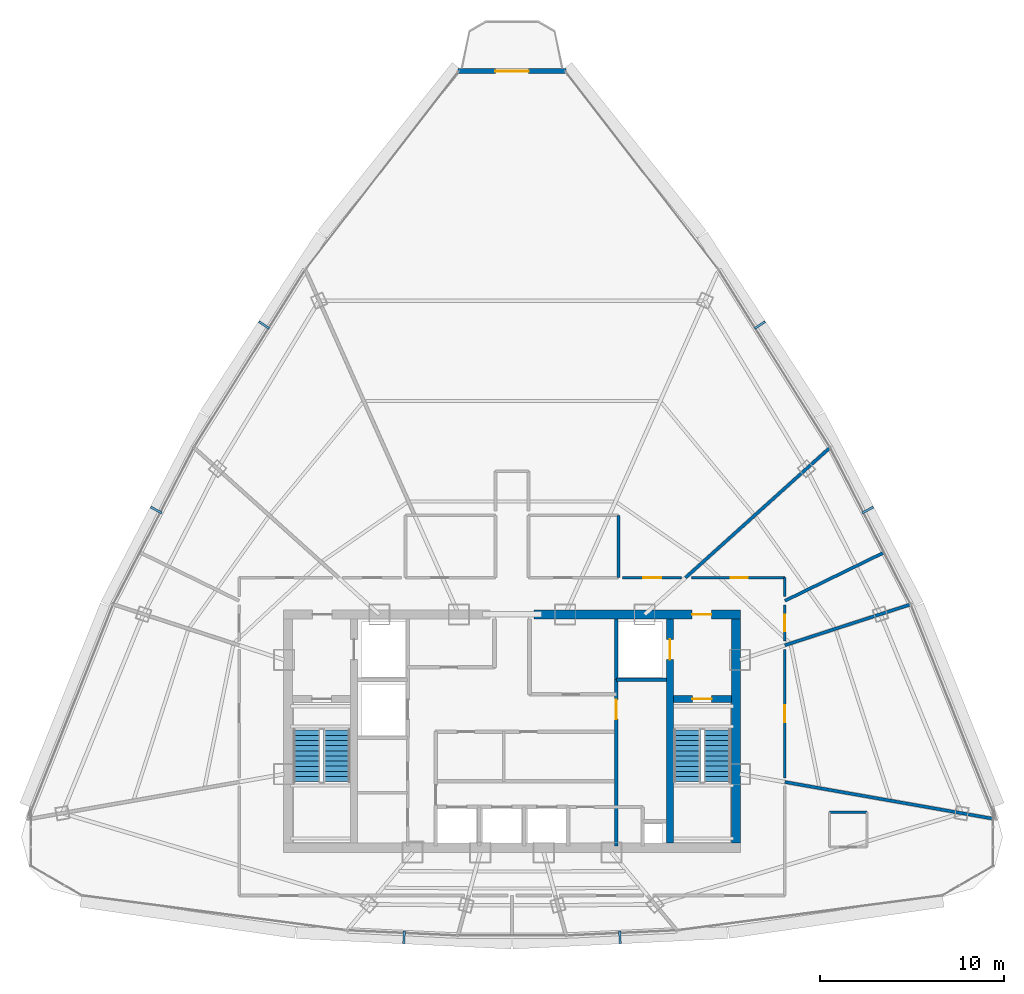
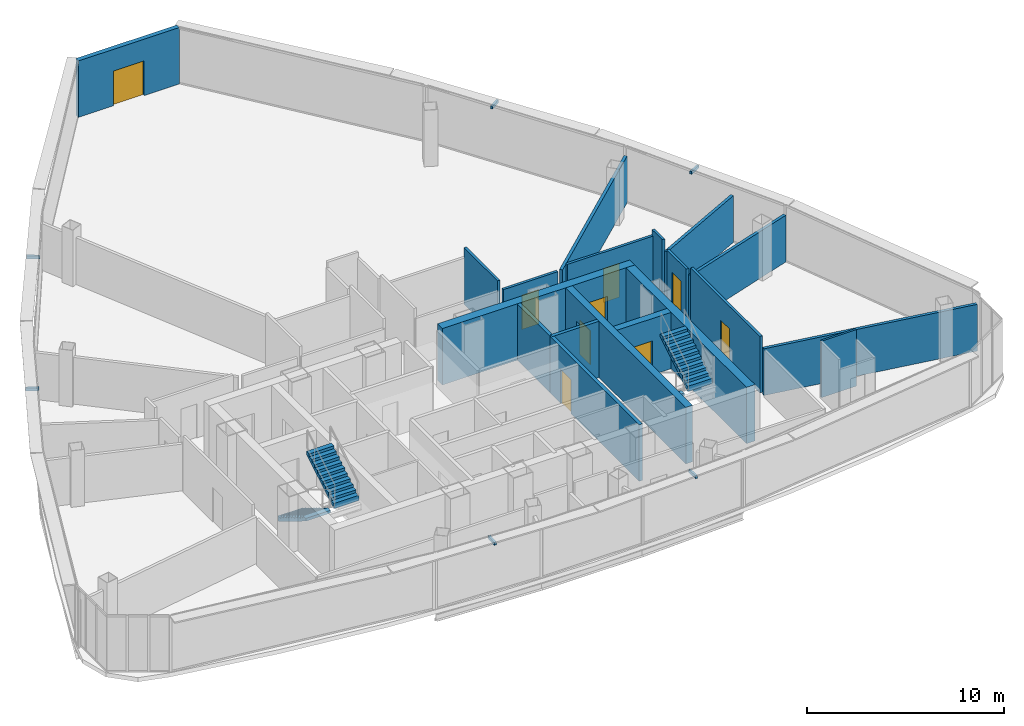
# One storey, part 26 of 29: 19 walls, 9 doors, 6 discrete accessories, 4 stair flights, 9 openings, 2 elements without a shape of their own.
"""IFC4 building model written with IfcOpenShell, lengths in metres."""

from ifc_helpers import new_model, si_unit, direction, frame, frame_2d, origin, origin_with_axes, origin_2d, place, context, subcontext, project, spatial, polyline, rectangle, outline, extrude, source, transform, mapped, material, layer, layer_set, type_object, element, fill, aggregate, save


model = new_model("IFC4")

# Units and contexts
model_context = context("Model", 3, precision=1e-05, world=origin(), true_north=direction((0.0, 1.0)))
body_context = subcontext(model_context, "Body", "Model", "MODEL_VIEW")
ifc_project = project(units=[si_unit("LENGTHUNIT", "METRE"), si_unit("AREAUNIT", "SQUARE_METRE"), si_unit("VOLUMEUNIT", "CUBIC_METRE"), si_unit("PLANEANGLEUNIT", "RADIAN"), si_unit("MASSUNIT", "GRAM", prefix="KILO"), si_unit("THERMODYNAMICTEMPERATUREUNIT", "KELVIN"), si_unit("POWERUNIT", "WATT")], contexts=[model_context])

# Site, building, storey
site_placement = place(None, origin())
site = spatial("IfcSite", under=ifc_project, at=site_placement, CompositionType="ELEMENT")
building_placement = place(site_placement, origin())
building = spatial("IfcBuilding", under=site, at=building_placement, Name="Yunzhuo Pagoda Commons", CompositionType="ELEMENT")
storey_placement = place(building_placement, frame((0.0, 0.0, 359.260009765625)))
storey = spatial("IfcBuildingStorey", under=building, at=storey_placement, Name="L90", CompositionType="ELEMENT", Elevation=359.260009765625)

# Wall, opening, door
ifc_material_1 = material(Name="Precast concrete C40", Category="concrete")
ifc_layer_1 = layer(ifc_material_1, 0.260009765625)
ifc_layer_set_1 = layer_set([ifc_layer_1], Name="Precast concrete C40")
wall_type_1 = type_object("IfcWallType", Name="W-BAL1 Corner Balcony Threshold Wall 260", PredefinedType="STANDARD", material=ifc_layer_set_1)
wall_1_placement = place(storey_placement, frame((50.951904296875, 69.7763671875, 0.0), z_axis=(0.0, 0.0, 1.0), x_axis=(-1.0, 0.0, 0.0)))
wall_1 = element("IfcWall", 1, at=wall_1_placement, inside=storey, type_object=wall_type_1, Name="L90 corner balcony wall V3", PredefinedType="STANDARD", context=body_context, shape_type="SweptSolid", body=[
    extrude(rectangle(XDim=5.90380859375, YDim=0.260009765625, at=frame_2d((2.951904296875, 0.0))), origin(), (0.0, 0.0, 1.0), 3.489990234375),
])
opening_1_placement = place(wall_1_placement, frame((2.052001953125, 0.0, 0.0)))
opening_1 = element("IfcOpeningElement", 2, at=opening_1_placement, cuts=wall_1, Name="Opening D-BAL1", PredefinedType="OPENING", context=body_context, shape_type="SweptSolid", body=[
    extrude(rectangle(XDim=1.800048828125, YDim=2.14990234375, at=frame_2d((0.89990234375, 1.074951171875))), frame((0.0, 0.14013671875, 0.0), z_axis=(0.0, -1.0, 0.0), x_axis=(1.0, 0.0, 0.0)), (0.0, 0.0, 1.0), 0.280029296875),
])
ifc_material_2 = material(Name="Anodized aluminium frame and tempered glazed leaf", Category="aluminium")
door_type_1 = type_object("IfcDoorType", Name="D-BAL1 Corner Balcony Sliding Glazed Door 1800x2150", OperationType="DOUBLE_DOOR_SLIDING", PredefinedType="DOOR", material=ifc_material_2)
shared_shape_1 = source(origin(), body_context, "Body", "SweptSolid", [
    extrude(rectangle(XDim=1.800048828125, YDim=2.14990234375, at=frame_2d((0.89990234375, 1.074951171875))), frame((0.0, 0.02490234375, 0.0), z_axis=(0.0, -1.0, 0.0), x_axis=(1.0, 0.0, 0.0)), (0.0, 0.0, 1.0), 0.050048828125),
])
door_1_placement = place(opening_1_placement, origin_with_axes())
door_1 = element("IfcDoor", 3, at=door_1_placement, inside=storey, type_object=door_type_1, Name="L90 corner balcony sliding door V3", OperationType="DOUBLE_DOOR_SLIDING", OverallHeight=2.14990234375, OverallWidth=1.800048828125, PredefinedType="DOOR", context=body_context, shape_type="MappedRepresentation", body=[
    mapped(shared_shape_1, transform((0.0, 0.0, 0.0), scale=1.0)),
])
fill(opening_1, door_1)

ifc_material_3 = material(Name="Concrete C50", Category="concrete")
ifc_layer_2 = layer(ifc_material_3, 0.5)
ifc_layer_set_2 = layer_set([ifc_layer_2], Name="Concrete C50")
wall_type_2 = type_object("IfcWallType", Name="W-C03 Upper Core Shear Wall 500", PredefinedType="SHEAR", material=ifc_layer_set_2)
wall_2_placement = place(storey_placement, frame((49.199951171875, 40.199951171875, 0.0), z_axis=(0.0, 0.0, 1.0), x_axis=(1.0, 0.0, 0.0)))
wall_2 = element("IfcWall", 4, at=wall_2_placement, inside=storey, type_object=wall_type_2, Name="L90 core shear wall NE", PredefinedType="SHEAR", context=body_context, shape_type="SweptSolid", body=[
    extrude(rectangle(XDim=11.25, YDim=0.5, at=frame_2d((5.625, 0.0))), origin(), (0.0, 0.0, 1.0), 3.489990234375),
])
opening_2_placement = place(wall_2_placement, frame((8.60009765625, 0.0, 0.0)))
opening_2 = element("IfcOpeningElement", 5, at=opening_2_placement, cuts=wall_2, Name="Opening D-02", PredefinedType="OPENING", context=body_context, shape_type="SweptSolid", body=[
    extrude(rectangle(XDim=1.050048828125, YDim=2.10009765625, at=frame_2d((0.52490234375, 1.050048828125))), frame((0.0, 0.260009765625, 0.0), z_axis=(0.0, -1.0, 0.0), x_axis=(1.0, 0.0, 0.0)), (0.0, 0.0, 1.0), 0.52001953125),
])
ifc_material_4 = material(Name="Galvanized fire-resisting metal leaf")
door_type_2 = type_object("IfcDoorType", Name="D-02 Firefighting Lobby & Refuge Fire Door 1050x2100", OperationType="NOTDEFINED", PredefinedType="DOOR", material=ifc_material_4)
shared_shape_2 = source(origin(), body_context, "Body", "SweptSolid", [
    extrude(rectangle(XDim=1.050048828125, YDim=2.10009765625, at=frame_2d((0.52490234375, 1.050048828125))), frame((0.0, 0.02490234375, 0.0), z_axis=(0.0, -1.0, 0.0), x_axis=(1.0, 0.0, 0.0)), (0.0, 0.0, 1.0), 0.050048828125),
])
door_2_placement = place(opening_2_placement, frame((1.050048828125, 0.0, 0.0), z_axis=(0.0, 0.0, 1.0), x_axis=(-1.0, 0.0, 0.0)))
door_2 = element("IfcDoor", 6, at=door_2_placement, inside=storey, type_object=door_type_2, Name="L90 Firefighting Lobby 2 fire door", OperationType="SINGLE_SWING_RIGHT", OverallHeight=2.10009765625, OverallWidth=1.050048828125, PredefinedType="DOOR", context=body_context, shape_type="MappedRepresentation", body=[
    mapped(shared_shape_2, transform((0.0, 0.0, 0.0), scale=1.0)),
])
fill(opening_2, door_2)

# Walls
wall_3_placement = place(storey_placement, frame((60.199951171875, 27.75, 0.0), z_axis=(0.0, 0.0, 1.0), x_axis=(0.0, 1.0, 0.0)))
element("IfcWall", 7, at=wall_3_placement, inside=storey, type_object=wall_type_2, Name="L90 core shear wall E", PredefinedType="SHEAR", context=body_context, shape_type="SweptSolid", body=[
    extrude(rectangle(XDim=12.199951171875, YDim=0.5, at=frame_2d((6.10009765625, 0.0))), origin(), (0.0, 0.0, 1.0), 3.489990234375),
])
ifc_material_5 = material(Name="Gypsum plasterboard on acoustic stud")
ifc_layer_3 = layer(ifc_material_5, 0.14990234375)
ifc_layer_set_3 = layer_set([ifc_layer_3], Name="Gypsum plasterboard on acoustic stud")
wall_type_3 = type_object("IfcWallType", Name="W-COR3 High-Zone Rated Corridor Wall 150", PredefinedType="PARTITIONING", material=ifc_layer_set_3)
wall_4_placement = place(storey_placement, frame((53.800048828125, 42.199951171875, 0.0), z_axis=(0.0, 0.0, 1.0), x_axis=(0.0, 1.0, 0.0)))
element("IfcWall", 8, at=wall_4_placement, inside=storey, type_object=wall_type_3, Name="L90 interior wall IW-L90-TFEE", PredefinedType="PARTITIONING", context=body_context, shape_type="SweptSolid", body=[
    extrude(rectangle(XDim=3.400146484375, YDim=0.14990234375, at=frame_2d((1.7001953125, 0.0))), origin(), (0.0, 0.0, 1.0), 3.489990234375),
])

# Wall, opening, door
wall_5_placement = place(storey_placement, frame((54.02001953125, 42.199951171875, 0.0), z_axis=(0.0, 0.0, 1.0), x_axis=(1.0, 0.0, 0.0)))
wall_5 = element("IfcWall", 9, at=wall_5_placement, inside=storey, type_object=wall_type_3, Name="L90 interior wall IW-L90-CWL10", PredefinedType="PARTITIONING", context=body_context, shape_type="SweptSolid", body=[
    extrude(rectangle(XDim=3.200439453125, YDim=0.14990234375, at=frame_2d((1.60009765625, 0.0))), origin(), (0.0, 0.0, 1.0), 2.889892578125),
])
opening_3_placement = place(wall_5_placement, frame((1.125, 0.0, 0.0)))
opening_3 = element("IfcOpeningElement", 10, at=opening_3_placement, cuts=wall_5, Name="Opening D-08", PredefinedType="OPENING", context=body_context, shape_type="SweptSolid", body=[
    extrude(rectangle(XDim=0.97998046875, YDim=2.1201171875, at=frame_2d((0.489990234375, 1.06005859375))), frame((0.0, 0.0849609375, 0.0), z_axis=(0.0, -1.0, 0.0), x_axis=(1.0, 0.0, 0.0)), (0.0, 0.0, 1.0), 0.169921875),
])
door_type_3 = type_object("IfcDoorType", Name="D-08 High-Zone Suite Entrance Fire Door 980x2120", OperationType="NOTDEFINED", PredefinedType="DOOR", material=ifc_material_4)
shared_shape_3 = source(origin(), body_context, "Body", "SweptSolid", [
    extrude(rectangle(XDim=0.97998046875, YDim=2.1201171875, at=frame_2d((0.489990234375, 1.06005859375))), frame((0.0, 0.02490234375, 0.0), z_axis=(0.0, -1.0, 0.0), x_axis=(1.0, 0.0, 0.0)), (0.0, 0.0, 1.0), 0.050048828125),
])
door_3_placement = place(opening_3_placement, origin_with_axes())
door_3 = element("IfcDoor", 11, at=door_3_placement, inside=storey, type_object=door_type_3, Name="L90 Shared Resident Kitchen and Pantry door", OperationType="SINGLE_SWING_LEFT", OverallHeight=2.1201171875, OverallWidth=0.97998046875, PredefinedType="DOOR", context=body_context, shape_type="MappedRepresentation", body=[
    mapped(shared_shape_3, transform((0.0, 0.0, 0.0), scale=1.0)),
])
fill(opening_3, door_3)

wall_6_placement = place(storey_placement, frame((57.76904296875, 42.199951171875, 0.0), z_axis=(0.0, 0.0, 1.0), x_axis=(1.0, 0.0, 0.0)))
wall_6 = element("IfcWall", 12, at=wall_6_placement, inside=storey, type_object=wall_type_3, Name="L90 interior wall IW-L90-CWL11", PredefinedType="PARTITIONING", context=body_context, shape_type="SweptSolid", body=[
    extrude(rectangle(XDim=5.0810546875, YDim=0.14990234375, at=frame_2d((2.54052734375, 0.0))), origin(), (0.0, 0.0, 1.0), 3.139892578125),
])
opening_4_placement = place(wall_6_placement, frame((2.14599609375, 0.0, 0.0)))
opening_4 = element("IfcOpeningElement", 13, at=opening_4_placement, cuts=wall_6, Name="Opening D-04", PredefinedType="OPENING", context=body_context, shape_type="SweptSolid", body=[
    extrude(rectangle(XDim=0.919921875, YDim=2.10009765625, at=frame_2d((0.4599609375, 1.050048828125))), frame((0.0, 0.0849609375, 0.0), z_axis=(0.0, -1.0, 0.0), x_axis=(1.0, 0.0, 0.0)), (0.0, 0.0, 1.0), 0.169921875),
])
ifc_material_6 = material(Name="Powder-coated aluminium and timber acoustic leaf", Category="wood")
door_type_4 = type_object("IfcDoorType", Name="D-04 Bedroom & Study Interior Door 920x2100", OperationType="NOTDEFINED", PredefinedType="DOOR", material=ifc_material_6)
shared_shape_4 = source(origin(), body_context, "Body", "SweptSolid", [
    extrude(rectangle(XDim=0.919921875, YDim=2.10009765625, at=frame_2d((0.4599609375, 1.050048828125))), frame((0.0, 0.02490234375, 0.0), z_axis=(0.0, -1.0, 0.0), x_axis=(1.0, 0.0, 0.0)), (0.0, 0.0, 1.0), 0.050048828125),
])
door_4_placement = place(opening_4_placement, origin_with_axes())
door_4 = element("IfcDoor", 14, at=door_4_placement, inside=storey, type_object=door_type_4, Name="L90 fellow workroom 03 door", OperationType="SINGLE_SWING_RIGHT", OverallHeight=2.10009765625, OverallWidth=0.919921875, PredefinedType="DOOR", context=body_context, shape_type="MappedRepresentation", body=[
    mapped(shared_shape_4, transform((0.0, 0.0, 0.0), scale=1.0)),
])
fill(opening_4, door_4)

# Wall
wall_7_placement = place(storey_placement, frame((62.85009765625, 42.199951171875, 0.0), z_axis=(0.0, 0.0, 1.0), x_axis=(0.0, -1.0, 0.0)))
element("IfcWall", 15, at=wall_7_placement, inside=storey, type_object=wall_type_3, Name="L90 interior wall IW-L90-CWL12", PredefinedType="PARTITIONING", context=body_context, shape_type="SweptSolid", body=[
    extrude(rectangle(XDim=1.012451171875, YDim=0.14990234375, at=frame_2d((0.50634765625, 0.0))), origin(), (0.0, 0.0, 1.0), 3.489990234375),
])

# Wall, opening, door
wall_8_placement = place(storey_placement, frame((62.85009765625, 40.722900390625, 0.0), z_axis=(0.0, 0.0, 1.0), x_axis=(0.0, -1.0, 0.0)))
wall_8 = element("IfcWall", 16, at=wall_8_placement, inside=storey, type_object=wall_type_3, Name="L90 interior wall IW-L90-CWL13", PredefinedType="PARTITIONING", context=body_context, shape_type="SweptSolid", body=[
    extrude(rectangle(XDim=1.966552734375, YDim=0.14990234375, at=frame_2d((0.9833984375, 0.0))), origin(), (0.0, 0.0, 1.0), 3.139892578125),
])
opening_5_placement = place(wall_8_placement, frame((0.529052734375, 0.0, 0.0)))
opening_5 = element("IfcOpeningElement", 17, at=opening_5_placement, cuts=wall_8, Name="Opening D-12", PredefinedType="OPENING", context=body_context, shape_type="SweptSolid", body=[
    extrude(rectangle(XDim=0.89990234375, YDim=2.080078125, at=frame_2d((0.449951171875, 1.0400390625))), frame((0.0, 0.0849609375, 0.0), z_axis=(0.0, -1.0, 0.0), x_axis=(1.0, 0.0, 0.0)), (0.0, 0.0, 1.0), 0.169921875),
])
door_type_5 = type_object("IfcDoorType", Name="D-12 Quiet Study Interior Door 900x2080", OperationType="NOTDEFINED", PredefinedType="DOOR", material=ifc_material_6)
shared_shape_5 = source(origin(), body_context, "Body", "SweptSolid", [
    extrude(rectangle(XDim=0.89990234375, YDim=2.080078125, at=frame_2d((0.449951171875, 1.0400390625))), frame((0.0, 0.02490234375, 0.0), z_axis=(0.0, -1.0, 0.0), x_axis=(1.0, 0.0, 0.0)), (0.0, 0.0, 1.0), 0.050048828125),
])
door_5_placement = place(opening_5_placement, origin_with_axes())
door_5 = element("IfcDoor", 18, at=door_5_placement, inside=storey, type_object=door_type_5, Name="L90 study lounge 02 door", OperationType="SINGLE_SWING_LEFT", OverallHeight=2.080078125, OverallWidth=0.89990234375, PredefinedType="DOOR", context=body_context, shape_type="MappedRepresentation", body=[
    mapped(shared_shape_5, transform((0.0, 0.0, 0.0), scale=1.0)),
])
fill(opening_5, door_5)

wall_9_placement = place(storey_placement, frame((62.85009765625, 38.305419921875, 0.0), z_axis=(0.0, 0.0, 1.0), x_axis=(0.0, -1.0, 0.0)))
wall_9 = element("IfcWall", 19, at=wall_9_placement, inside=storey, type_object=wall_type_3, Name="L90 interior wall IW-L90-CWL14", PredefinedType="PARTITIONING", context=body_context, shape_type="SweptSolid", body=[
    extrude(rectangle(XDim=7.004150390625, YDim=0.14990234375, at=frame_2d((3.501953125, 0.0))), origin(), (0.0, 0.0, 1.0), 3.489990234375),
])
opening_6_placement = place(wall_9_placement, frame((3.0419921875, 0.0, 0.0)))
opening_6 = element("IfcOpeningElement", 20, at=opening_6_placement, cuts=wall_9, Name="Opening D-04", PredefinedType="OPENING", context=body_context, shape_type="SweptSolid", body=[
    extrude(rectangle(XDim=0.919921875, YDim=2.10009765625, at=frame_2d((0.4599609375, 1.050048828125))), frame((0.0, 0.0849609375, 0.0), z_axis=(0.0, -1.0, 0.0), x_axis=(1.0, 0.0, 0.0)), (0.0, 0.0, 1.0), 0.169921875),
])
door_6_placement = place(opening_6_placement, origin_with_axes())
door_6 = element("IfcDoor", 21, at=door_6_placement, inside=storey, type_object=door_type_4, Name="L90 seminar room 01 door", OperationType="SINGLE_SWING_RIGHT", OverallHeight=2.10009765625, OverallWidth=0.919921875, PredefinedType="DOOR", context=body_context, shape_type="MappedRepresentation", body=[
    mapped(shared_shape_4, transform((0.0, 0.0, 0.0), scale=1.0)),
])
fill(opening_6, door_6)

# Walls
ifc_layer_4 = layer(ifc_material_5, 0.1201171875)
ifc_layer_set_4 = layer_set([ifc_layer_4], Name="Gypsum plasterboard on acoustic stud")
wall_type_4 = type_object("IfcWallType", Name="W-PRT1 Suite & Bathroom Partition 120", PredefinedType="PARTITIONING", material=ifc_layer_set_4)
wall_10_placement = place(storey_placement, frame((67.324951171875, 29.43994140625, 0.0), z_axis=(0.0, 0.0, 1.0), x_axis=(-1.0, 0.0, 0.0)))
element("IfcWall", 22, at=wall_10_placement, inside=storey, type_object=wall_type_4, Name="L90 interior wall IW-L90-B11N", PredefinedType="PARTITIONING", context=body_context, shape_type="SweptSolid", body=[
    extrude(rectangle(XDim=2.050048828125, YDim=0.1201171875, at=frame_2d((1.02490234375, 0.0))), origin(), (0.0, 0.0, 1.0), 3.489990234375),
])
ifc_layer_5 = layer(ifc_material_5, 0.169921875)
ifc_layer_set_5 = layer_set([ifc_layer_5], Name="Gypsum plasterboard on acoustic stud")
wall_type_5 = type_object("IfcWallType", Name="W-PRT4 High-Zone Demising Wall 170", PredefinedType="PARTITIONING", material=ifc_layer_set_5)
wall_11_placement = place(storey_placement, frame((62.85009765625, 38.525146484375, 0.0), z_axis=(0.0, 0.0, 1.0), x_axis=(0.951060950279, 0.309003347644, 0.0)))
element("IfcWall", 23, at=wall_11_placement, inside=storey, type_object=wall_type_5, Name="L90 interior wall IW-L90-RAD01", PredefinedType="PARTITIONING", context=body_context, shape_type="SweptSolid", body=[
    extrude(rectangle(XDim=7.207275390625, YDim=0.169921875, at=frame_2d((3.603515625, 0.0))), origin(), (0.0, 0.0, 1.0), 2.889892578125),
])
wall_12_placement = place(storey_placement, frame((62.85009765625, 40.94287109375, 0.0), z_axis=(0.0, 0.0, 1.0), x_axis=(0.898803189206, 0.438352400557, 0.0)))
element("IfcWall", 24, at=wall_12_placement, inside=storey, type_object=wall_type_5, Name="L90 interior wall IW-L90-RAD02", PredefinedType="PARTITIONING", context=body_context, shape_type="SweptSolid", body=[
    extrude(rectangle(XDim=6.010009765625, YDim=0.169921875, at=frame_2d((3.0048828125, 0.0))), origin(), (0.0, 0.0, 1.0), 2.889892578125),
])
wall_13_placement = place(storey_placement, frame((57.440185546875, 42.199951171875, 0.0), z_axis=(0.0, 0.0, 1.0), x_axis=(0.743152066897, 0.66912256386, 0.0)))
element("IfcWall", 25, at=wall_13_placement, inside=storey, type_object=wall_type_5, Name="L90 interior wall IW-L90-RAD03", PredefinedType="PARTITIONING", context=body_context, shape_type="SweptSolid", body=[
    extrude(rectangle(XDim=10.59619140625, YDim=0.169921875, at=frame_2d((5.298095703125, 0.0))), origin(), (0.0, 0.0, 1.0), 2.889892578125),
])
wall_14_placement = place(storey_placement, frame((62.85009765625, 31.08154296875, 0.0), z_axis=(0.0, 0.0, 1.0), x_axis=(0.984809380036, -0.173638950101, 0.0)))
element("IfcWall", 26, at=wall_14_placement, inside=storey, type_object=wall_type_5, Name="L90 interior wall IW-L90-RAD13", PredefinedType="PARTITIONING", context=body_context, shape_type="SweptSolid", body=[
    extrude(rectangle(XDim=11.512451171875, YDim=0.169921875, at=frame_2d((5.75634765625, 0.0))), origin(), (0.0, 0.0, 1.0), 2.889892578125),
])

# Wall, opening, door
ifc_material_7 = material(Name="Concrete C60", Category="concrete")
ifc_layer_6 = layer(ifc_material_7, 0.39990234375)
ifc_layer_set_6 = layer_set([ifc_layer_6], Name="Concrete C60")
wall_type_6 = type_object("IfcWallType", Name="W-S01 Internal Core Shear Web 400", PredefinedType="SHEAR", material=ifc_layer_set_6)
wall_15_placement = place(storey_placement, frame((56.60009765625, 27.75, 0.0), z_axis=(0.0, 0.0, 1.0), x_axis=(0.0, 1.0, 0.0)))
wall_15 = element("IfcWall", 27, at=wall_15_placement, inside=storey, type_object=wall_type_6, Name="L90 core shear wall WEBE", PredefinedType="SHEAR", context=body_context, shape_type="SweptSolid", body=[
    extrude(rectangle(XDim=12.199951171875, YDim=0.39990234375, at=frame_2d((6.10009765625, 0.0))), origin(), (0.0, 0.0, 1.0), 3.489990234375),
])
opening_7_placement = place(wall_15_placement, frame((10.0, 0.0, 0.0)))
opening_7 = element("IfcOpeningElement", 28, at=opening_7_placement, cuts=wall_15, Name="Opening LD-01", PredefinedType="OPENING", context=body_context, shape_type="SweptSolid", body=[
    extrude(rectangle(XDim=1.10009765625, YDim=2.10009765625, at=frame_2d((0.550048828125, 1.050048828125))), frame((0.0, 0.2099609375, 0.0), z_axis=(0.0, -1.0, 0.0), x_axis=(1.0, 0.0, 0.0)), (0.0, 0.0, 1.0), 0.419921875),
])
door_type_6 = type_object("IfcDoorType", Name="LD-01 Firefighting Lift Landing Door 1100x2100", OperationType="DOUBLE_DOOR_SLIDING", PredefinedType="DOOR", material=ifc_material_4)
shared_shape_6 = source(origin(), body_context, "Body", "SweptSolid", [
    extrude(rectangle(XDim=1.10009765625, YDim=2.10009765625, at=frame_2d((0.550048828125, 1.050048828125))), frame((0.0, 0.02490234375, 0.0), z_axis=(0.0, -1.0, 0.0), x_axis=(1.0, 0.0, 0.0)), (0.0, 0.0, 1.0), 0.050048828125),
])
door_7_placement = place(opening_7_placement, origin_with_axes())
door_7 = element("IfcDoor", 29, at=door_7_placement, inside=storey, type_object=door_type_6, Name="L90 Firefighting lift FL-2 landing door", OperationType="DOUBLE_DOOR_SLIDING", OverallHeight=2.10009765625, OverallWidth=1.10009765625, PredefinedType="DOOR", context=body_context, shape_type="MappedRepresentation", body=[
    mapped(shared_shape_6, transform((0.0, 0.0, 0.0), scale=1.0)),
])
fill(opening_7, door_7)

wall_16_placement = place(storey_placement, frame((56.800048828125, 35.60009765625, 0.0), z_axis=(0.0, 0.0, 1.0), x_axis=(1.0, 0.0, 0.0)))
wall_16 = element("IfcWall", 30, at=wall_16_placement, inside=storey, type_object=wall_type_6, Name="L90 core shear wall STE", PredefinedType="SHEAR", context=body_context, shape_type="SweptSolid", body=[
    extrude(rectangle(XDim=3.14990234375, YDim=0.39990234375, at=frame_2d((1.574951171875, 0.0))), origin(), (0.0, 0.0, 1.0), 3.489990234375),
])
opening_8_placement = place(wall_16_placement, frame((1.02001953125, 0.0, 0.0)))
opening_8 = element("IfcOpeningElement", 31, at=opening_8_placement, cuts=wall_16, Name="Opening D-01", PredefinedType="OPENING", context=body_context, shape_type="SweptSolid", body=[
    extrude(rectangle(XDim=1.050048828125, YDim=2.10009765625, at=frame_2d((0.52490234375, 1.050048828125))), frame((0.0, 0.2099609375, 0.0), z_axis=(0.0, -1.0, 0.0), x_axis=(1.0, 0.0, 0.0)), (0.0, 0.0, 1.0), 0.419921875),
])
door_type_7 = type_object("IfcDoorType", Name="D-01 Smokeproof Stair Fire Door 1050x2100", OperationType="NOTDEFINED", PredefinedType="DOOR", material=ifc_material_4)
door_8_placement = place(opening_8_placement, frame((1.050048828125, 0.0, 0.0), z_axis=(0.0, 0.0, 1.0), x_axis=(-1.0, 0.0, 0.0)))
door_8 = element("IfcDoor", 32, at=door_8_placement, inside=storey, type_object=door_type_7, Name="L90 Stair ST2 fire door", OperationType="SINGLE_SWING_RIGHT", OverallHeight=2.10009765625, OverallWidth=1.050048828125, PredefinedType="DOOR", context=body_context, shape_type="MappedRepresentation", body=[
    mapped(shared_shape_2, transform((0.0, 0.0, 0.0), scale=1.0)),
])
fill(opening_8, door_8)

# Walls
ifc_material_8 = material(Name="Concrete C40", Category="concrete")
ifc_layer_7 = layer(ifc_material_8, 0.199951171875)
ifc_layer_set_7 = layer_set([ifc_layer_7], Name="Concrete C40")
wall_type_7 = type_object("IfcWallType", Name="W-SHF Shaft & Stair Enclosure Wall 200", PredefinedType="SOLIDWALL", material=ifc_layer_set_7)
wall_17_placement = place(storey_placement, frame((53.679931640625, 36.64990234375, 0.0), z_axis=(0.0, 0.0, 1.0), x_axis=(0.0, 1.0, 0.0)))
element("IfcWall", 33, at=wall_17_placement, inside=storey, type_object=wall_type_7, Name="L90 interior wall IW-L90-FL2W", PredefinedType="SOLIDWALL", context=body_context, shape_type="SweptSolid", body=[
    extrude(rectangle(XDim=3.300048828125, YDim=0.199951171875, at=frame_2d((1.64990234375, 0.0))), origin(), (0.0, 0.0, 1.0), 3.489990234375),
])
wall_18_placement = place(storey_placement, frame((53.679931640625, 36.64990234375, 0.0), z_axis=(0.0, 0.0, 1.0), x_axis=(1.0, 0.0, 0.0)))
element("IfcWall", 34, at=wall_18_placement, inside=storey, type_object=wall_type_7, Name="L90 interior wall IW-L90-FL2S", PredefinedType="SOLIDWALL", context=body_context, shape_type="SweptSolid", body=[
    extrude(rectangle(XDim=2.719970703125, YDim=0.199951171875, at=frame_2d((1.35986328125, 0.0))), origin(), (0.0, 0.0, 1.0), 3.489990234375),
])

# Wall, opening, door
wall_19_placement = place(storey_placement, frame((53.679931640625, 27.60009765625, 0.0), z_axis=(0.0, 0.0, 1.0), x_axis=(0.0, 1.0, 0.0)))
wall_19 = element("IfcWall", 35, at=wall_19_placement, inside=storey, type_object=wall_type_7, Name="L90 interior wall IW-L90-PLME", PredefinedType="SOLIDWALL", context=body_context, shape_type="SweptSolid", body=[
    extrude(rectangle(XDim=9.0498046875, YDim=0.199951171875, at=frame_2d((4.52490234375, 0.0))), origin(), (0.0, 0.0, 1.0), 3.489990234375),
])
opening_9_placement = place(wall_19_placement, frame((6.89990234375, 0.0, 0.0)))
opening_9 = element("IfcOpeningElement", 36, at=opening_9_placement, cuts=wall_19, Name="Opening D-02", PredefinedType="OPENING", context=body_context, shape_type="SweptSolid", body=[
    extrude(rectangle(XDim=1.050048828125, YDim=2.10009765625, at=frame_2d((0.52490234375, 1.050048828125))), frame((0.0, 0.10986328125, 0.0), z_axis=(0.0, -1.0, 0.0), x_axis=(1.0, 0.0, 0.0)), (0.0, 0.0, 1.0), 0.219970703125),
])
door_9_placement = place(opening_9_placement, origin_with_axes())
door_9 = element("IfcDoor", 37, at=door_9_placement, inside=storey, type_object=door_type_2, Name="L90 High-bank lift hall door", OperationType="SINGLE_SWING_RIGHT", OverallHeight=2.10009765625, OverallWidth=1.050048828125, PredefinedType="DOOR", context=body_context, shape_type="MappedRepresentation", body=[
    mapped(shared_shape_2, transform((0.0, 0.0, 0.0), scale=1.0)),
])
fill(opening_9, door_9)

# Stair, stair flights
stair_type_1 = type_object("IfcStairType", Name="ST-C1 Core Smokeproof Stair ST1", PredefinedType="HALF_TURN_STAIR", material=ifc_material_8)
stair_1_placement = place(storey_placement, origin())
stair_1 = element("IfcStair", 38, at=stair_1_placement, inside=storey, type_object=stair_type_1, Name="L90 Core smokeproof stair ST1", PredefinedType="HALF_TURN_STAIR")
stair_flight_type_1 = type_object("IfcStairFlightType", Name="STF-C1 Core Stair Flight 1450", PredefinedType="STRAIGHT", material=ifc_material_8)
shared_shape_7 = source(origin(), body_context, "Body", "SweptSolid", [
    extrude(outline(polyline([(0.0, -0.14990234375), (0.0, 0.0), (0.0, 0.17041015625), (0.280029296875, 0.17041015625), (0.280029296875, 0.3408203125), (0.56005859375, 0.3408203125), (0.56005859375, 0.511474609375), (0.840087890625, 0.511474609375), (0.840087890625, 0.681884765625), (1.1201171875, 0.681884765625), (1.1201171875, 0.852294921875), (1.39990234375, 0.852294921875), (1.39990234375, 1.022705078125), (1.679931640625, 1.022705078125), (1.679931640625, 1.193115234375), (1.9599609375, 1.193115234375), (1.9599609375, 1.363525390625), (2.239990234375, 1.363525390625), (2.239990234375, 1.5341796875), (2.52001953125, 1.5341796875), (2.52001953125, 1.70458984375), (2.800048828125, 1.70458984375), (2.800048828125, 1.875), (2.800048828125, 1.529052734375), (0.288330078125, 0.0), (0.050048828125, -0.14990234375), (0.0, -0.14990234375)])), frame((0.0, 0.72509765625, 0.0), z_axis=(0.0, -1.0, 0.0), x_axis=(1.0, 0.0, 0.0)), (0.0, 0.0, 1.0), 1.449951171875),
])
stair_flight_1_placement = place(storey_placement, frame((36.824951171875, 33.89990234375, 0.0), z_axis=(0.0, 0.0, 1.0), x_axis=(0.0, -1.0, 0.0)))
stair_flight_1 = element("IfcStairFlight", 39, at=stair_flight_1_placement, type_object=stair_flight_type_1, Name="ST1 flight 1", NumberOfRisers=11, NumberOfTreads=10, PredefinedType="STRAIGHT", RiserHeight=0.170454545, TreadLength=0.28, context=body_context, shape_type="MappedRepresentation", body=[
    mapped(shared_shape_7, transform((0.0, 0.0, 0.0), scale=1.0)),
])
stair_flight_2_placement = place(storey_placement, frame((38.47509765625, 31.10009765625, 1.875), z_axis=(0.0, 0.0, 1.0), x_axis=(0.0, 1.0, 0.0)))
stair_flight_2 = element("IfcStairFlight", 40, at=stair_flight_2_placement, type_object=stair_flight_type_1, Name="ST1 flight 2", NumberOfRisers=11, NumberOfTreads=10, PredefinedType="STRAIGHT", RiserHeight=0.170454545, TreadLength=0.28, context=body_context, shape_type="MappedRepresentation", body=[
    mapped(shared_shape_7, transform((0.0, 0.0, 0.0), scale=1.0)),
])
aggregate(stair_1, [stair_flight_1, stair_flight_2])

stair_type_2 = type_object("IfcStairType", Name="ST-C2 Core Smokeproof Stair ST2", PredefinedType="HALF_TURN_STAIR", material=ifc_material_8)
stair_2_placement = place(storey_placement, origin())
stair_2 = element("IfcStair", 41, at=stair_2_placement, inside=storey, type_object=stair_type_2, Name="L90 Core smokeproof stair ST2", PredefinedType="HALF_TURN_STAIR")
stair_flight_type_2 = type_object("IfcStairFlightType", Name="STF-C2 Core Stair Flight 1460", PredefinedType="STRAIGHT", material=ifc_material_8)
stair_flight_3_placement = place(storey_placement, frame((57.52490234375, 33.89990234375, 0.0), z_axis=(0.0, 0.0, 1.0), x_axis=(0.0, -1.0, 0.0)))
stair_flight_3 = element("IfcStairFlight", 42, at=stair_flight_3_placement, type_object=stair_flight_type_2, Name="ST2 flight 1", NumberOfRisers=11, NumberOfTreads=10, PredefinedType="STRAIGHT", RiserHeight=0.170454545, TreadLength=0.28, context=body_context, shape_type="MappedRepresentation", body=[
    mapped(shared_shape_7, transform((0.0, 0.0, 0.0), scale=1.0)),
])
stair_flight_4_placement = place(storey_placement, frame((59.175048828125, 31.10009765625, 1.875), z_axis=(0.0, 0.0, 1.0), x_axis=(0.0, 1.0, 0.0)))
stair_flight_4 = element("IfcStairFlight", 43, at=stair_flight_4_placement, type_object=stair_flight_type_2, Name="ST2 flight 2", NumberOfRisers=11, NumberOfTreads=10, PredefinedType="STRAIGHT", RiserHeight=0.170454545, TreadLength=0.28, context=body_context, shape_type="MappedRepresentation", body=[
    mapped(shared_shape_7, transform((0.0, 0.0, 0.0), scale=1.0)),
])
aggregate(stair_2, [stair_flight_3, stair_flight_4])

# Discrete accessories
ifc_material_9 = material(Name="Anodized aluminium 6063-T6", Category="aluminium")
discrete_accessory_type = type_object("IfcDiscreteAccessoryType", Name="BK-SUN1 Sunshade Outrigger Bracket", PredefinedType="BRACKET", material=ifc_material_9)
shared_shape_8 = source(origin(), body_context, "Body", "SweptSolid", [
    extrude(rectangle(XDim=0.1201171875, YDim=0.679931640625, at=origin_2d()), origin(), (0.0, 0.0, 1.0), 0.179931640625),
])
for number, where, z_axis, x_axis, name in (
    (44, (42.12548828125, 22.64013671875, 3.27978515625), (0.0, 0.0, 1.0), (0.998818043775, -0.04860571396, 0.0), "L90 sunshade outrigger bracket F1.2"),
    (45, (53.87451171875, 22.64013671875, 3.27978515625), (0.0, 0.0, 1.0), (0.998818043775, 0.04860571396, 0.0), "L90 sunshade outrigger bracket F1.3"),
    (46, (67.366943359375, 45.887939453125, 3.27978515625), (0.0, 0.0, 1.0), (-0.461206683033, 0.88729273384, 0.0), "L90 sunshade outrigger bracket F2.2"),
    (47, (61.4921875, 55.951904296875, 3.27978515625), (0.0, 0.0, 1.0), (-0.545838756973, 0.837890238269, 0.0), "L90 sunshade outrigger bracket F2.3"),
    (48, (34.5078125, 55.951904296875, 3.27978515625), (0.0, 0.0, 1.0), (-0.545838756973, -0.837890238269, 0.0), "L90 sunshade outrigger bracket F3.2"),
    (49, (28.633056640625, 45.887939453125, 3.27978515625), (0.0, 0.0, 1.0), (-0.461206683033, -0.88729273384, 0.0), "L90 sunshade outrigger bracket F3.3"),
):
    element("IfcDiscreteAccessory", number, at=place(storey_placement, frame(where, z_axis=z_axis, x_axis=x_axis)), inside=storey, type_object=discrete_accessory_type, Name=name, PredefinedType="BRACKET", context=body_context, shape_type="MappedRepresentation", body=[
        mapped(shared_shape_8, transform((0.0, 0.0, 0.0), scale=1.0)),
    ])

save(model, "model.ifc")
